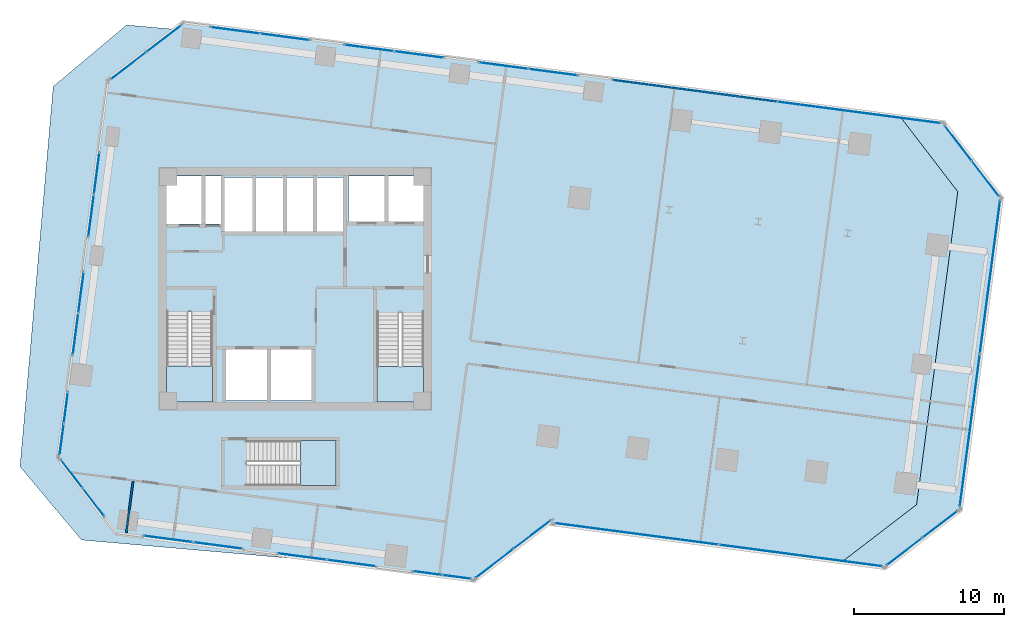
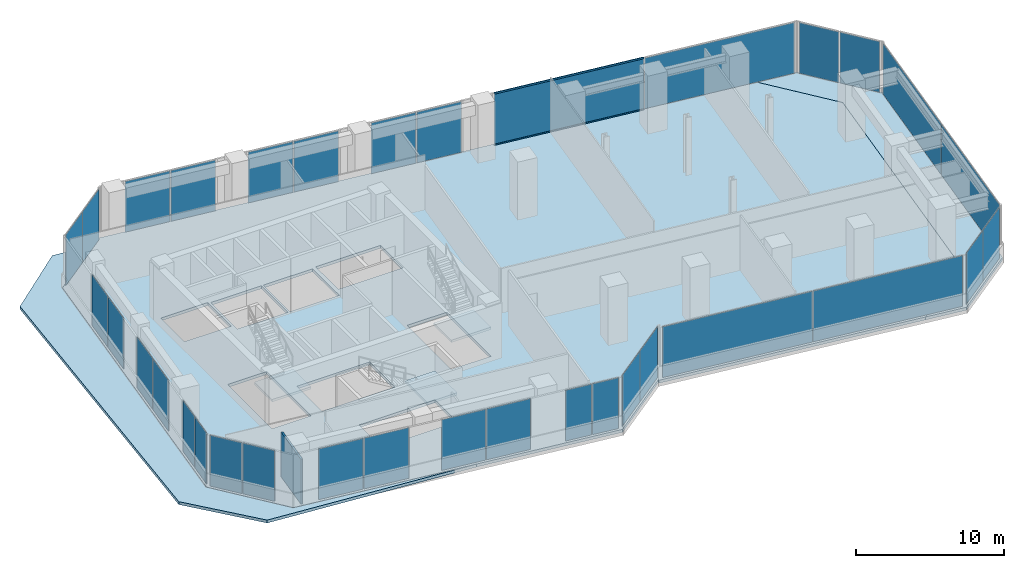
# One storey, part 18 of 24: 34 plates, 6 slabs, 2 members, 1 wall, 20 elements without a shape of their own.
"""IFC4 building model written with IfcOpenShell, lengths in metres."""

from ifc_helpers import new_model, si_unit, direction, frame, frame_2d, origin, origin_2d, place, context, subcontext, project, spatial, polyline, rectangle, hollow_rectangle, outline, extrude, source, transform, mapped, material, layer, layer_set, material_profile, profile_set, type_object, element, aggregate, save


model = new_model("IFC4")

# Units and contexts
model_context = context("Model", 3, precision=1e-05, world=origin(), true_north=direction((0.0, 1.0)))
body_context = subcontext(model_context, "Body", "Model", "MODEL_VIEW")
ifc_project = project(units=[si_unit("LENGTHUNIT", "METRE"), si_unit("AREAUNIT", "SQUARE_METRE"), si_unit("VOLUMEUNIT", "CUBIC_METRE"), si_unit("PLANEANGLEUNIT", "RADIAN"), si_unit("MASSUNIT", "GRAM", prefix="KILO")], contexts=[model_context])

# Site, building, storey
site_placement = place(None, origin())
site = spatial("IfcSite", under=ifc_project, at=site_placement, CompositionType="ELEMENT")
building_placement = place(site_placement, origin())
building = spatial("IfcBuilding", under=site, at=building_placement, Name="Torre Montelarca", CompositionType="ELEMENT")
storey_placement = place(building_placement, frame((0.0, 0.0, 61.60009765625)))
storey = spatial("IfcBuildingStorey", under=building, at=storey_placement, Name="L13", CompositionType="ELEMENT", Elevation=61.60009765625)

# Curtain wall, members
ifc_material_1 = material(Name="Insulated low-E laminated glass", Category="glass")
curtain_wall_type = type_object("IfcCurtainWallType", Name="CW-SYS-Z1", PredefinedType="USERDEFINED", material=ifc_material_1)
curtain_wall_1_placement = place(storey_placement, origin())
curtain_wall_1 = element("IfcCurtainWall", 1, at=curtain_wall_1_placement, inside=storey, type_object=curtain_wall_type, Name="L13 Curtain Wall Run CW-T3-L13-E08-B1", ObjectType="UNITISED GLAZING", PredefinedType="USERDEFINED")
ifc_material_2 = material(Name="Anodised aluminium AA 6063-T6", Category="aluminium")
ifc_material_profile = material_profile(ifc_material_2, hollow_rectangle(XDim=0.06494140625, YDim=0.139892578125, WallThickness=0.00390625, InnerFilletRadius=0.00390625, OuterFilletRadius=0.008056640625, at=origin_2d()), Name="ALU65X140X4", Category="aluminium")
ifc_profile_set = profile_set([ifc_material_profile], Name="Anodised aluminium AA 6063-T6")
member_type = type_object("IfcMemberType", Name="CWT-ALU140", PredefinedType="USERDEFINED", material=ifc_profile_set)
shared_shape_1 = source(origin(), body_context, "Body", "SweptSolid", [
    extrude(hollow_rectangle(XDim=0.06494140625, YDim=0.139892578125, WallThickness=0.00390625, InnerFilletRadius=0.00390625, OuterFilletRadius=0.008056640625, at=origin_2d()), origin(), (0.0, 0.0, 1.0), 10.95458984375),
])
member_1_placement = place(storey_placement, frame((50.01904296875, 44.4541015625, 0.032470703125), z_axis=(-0.991443975953, 0.130532917483, 0.0), x_axis=(-0.130532917483, -0.991443975953, 0.0)))
member_1 = element("IfcMember", 2, at=member_1_placement, type_object=member_type, Name="CW transom 2.1", ObjectType="TRANSOM", PredefinedType="USERDEFINED", context=body_context, shape_type="MappedRepresentation", body=[
    mapped(shared_shape_1, transform((0.0, 0.0, 0.0), scale=1.0)),
])
member_2_placement = place(storey_placement, frame((50.01904296875, 44.4541015625, 4.287353515625), z_axis=(-0.991443975953, 0.130532917483, 0.0), x_axis=(-0.130532917483, -0.991443975953, 0.0)))
member_2 = element("IfcMember", 3, at=member_2_placement, type_object=member_type, Name="CW transom 2.2", ObjectType="TRANSOM", PredefinedType="USERDEFINED", context=body_context, shape_type="MappedRepresentation", body=[
    mapped(shared_shape_1, transform((0.0, 0.0, 0.0), scale=1.0)),
])

# Slabs
ifc_material_3 = material(Name="Concrete C40/50", Category="concrete")
ifc_layer_1 = layer(ifc_material_3, 0.239990234375, Name="Concrete C40/50", Category="concrete")
ifc_layer_set_1 = layer_set([ifc_layer_1], Name="Concrete C40/50")
slab_type_1 = type_object("IfcSlabType", Name="SL-FLR-240", PredefinedType="FLOOR", material=ifc_layer_set_1)
slab_1_placement = place(storey_placement, frame((0.0, 0.0, -0.239990234375)))
element("IfcSlab", 4, at=slab_1_placement, inside=storey, type_object=slab_type_1, Name="L13 Structural Floor Slab", PredefinedType="FLOOR", context=body_context, shape_type="SweptSolid", body=[
    extrude(outline(polyline([(29.93115234375, 12.532958984375), (34.97998046875, 16.406982421875), (34.967041015625, 16.30810546875), (54.30029296875, 13.7626953125), (59.34912109375, 17.63671875), (62.090087890625, 38.457275390625), (58.2158203125, 43.506103515625), (10.527587890625, 49.784423828125), (5.478515625, 45.91015625), (2.1630859375, 20.7275390625), (6.037353515625, 15.6787109375), (29.93115234375, 12.532958984375)]), holes=[polyline([(20.699951171875, 18.89990234375), (14.760009765625, 18.89990234375), (14.760009765625, 21.889892578125), (20.699951171875, 21.889892578125), (20.699951171875, 18.89990234375)]), polyline([(19.10009765625, 24.550048828125), (13.39990234375, 24.550048828125), (13.39990234375, 27.949951171875), (19.10009765625, 27.949951171875), (19.10009765625, 24.550048828125)]), polyline([(23.43994140625, 24.449951171875), (23.43994140625, 30.429931640625), (26.550048828125, 30.429931640625), (26.550048828125, 24.449951171875), (23.43994140625, 24.449951171875)]), polyline([(9.449951171875, 24.449951171875), (9.449951171875, 30.4599609375), (12.5, 30.4599609375), (12.5, 24.449951171875), (9.449951171875, 24.449951171875)]), polyline([(17.25, 35.800048828125), (13.300048828125, 35.800048828125), (13.300048828125, 39.39990234375), (17.25, 39.39990234375), (17.25, 35.800048828125)]), polyline([(21.25, 35.800048828125), (17.39990234375, 35.800048828125), (17.39990234375, 39.39990234375), (21.25, 39.39990234375), (21.25, 35.800048828125)]), polyline([(13.1201171875, 36.300048828125), (9.449951171875, 36.300048828125), (9.449951171875, 39.5), (13.1201171875, 39.5), (13.1201171875, 36.300048828125)]), polyline([(26.60009765625, 36.449951171875), (21.550048828125, 36.449951171875), (21.550048828125, 39.5), (26.60009765625, 39.5), (26.60009765625, 36.449951171875)])]), origin(), (0.0, 0.0, 1.0), 0.239990234375),
])
slab_2_placement = place(storey_placement, frame((0.0, 0.0, -0.239990234375)))
element("IfcSlab", 5, at=slab_2_placement, inside=storey, type_object=slab_type_1, Name="L13 Sliding Tray Winter Garden Floor Slab E1", PredefinedType="FLOOR", context=body_context, shape_type="SweptSolid", body=[
    extrude(outline(polyline([(58.2158203125, 43.506103515625), (62.090087890625, 38.457275390625), (59.34912109375, 17.63671875), (54.30029296875, 13.7626953125), (57.2744140625, 13.37109375), (62.323486328125, 17.245361328125), (65.064453125, 38.065673828125), (61.190185546875, 43.114501953125), (58.2158203125, 43.506103515625)])), origin(), (0.0, 0.0, 1.0), 0.239990234375),
])
ifc_material_4 = material(Name="Architectural concrete C40/50", Category="concrete")
ifc_layer_2 = layer(ifc_material_4, 0.239990234375, Name="Architectural concrete C40/50", Category="concrete")
ifc_layer_set_2 = layer_set([ifc_layer_2], Name="Architectural concrete C40/50")
slab_type_2 = type_object("IfcSlabType", Name="SL-ROOF-EXT-240", PredefinedType="ROOF", material=ifc_layer_set_2)
slab_3_placement = place(storey_placement, frame((0.0, 0.0, -0.239990234375)))
element("IfcSlab", 6, at=slab_3_placement, inside=storey, type_object=slab_type_2, Name="L12 Setback and Tray Overhang Roof Cap Slab 01", PredefinedType="ROOF", context=body_context, shape_type="SweptSolid", body=[
    extrude(outline(polyline([(6.033203125, 15.671142578125), (2.15478515625, 20.725341796875), (5.47119140625, 45.91455078125), (9.857666015625, 49.280517578125), (6.773681640625, 49.55029296875), (1.8984375, 45.459716796875), (-0.315185546875, 20.15625), (3.775390625, 15.28125), (19.334716796875, 13.919921875), (6.033203125, 15.671142578125)])), origin(), (0.0, 0.0, 1.0), 0.239990234375),
])

# Stair, slab
stair_type_1 = type_object("IfcStairType", Name="ST-CORE-ST1", PredefinedType="HALF_TURN_STAIR", material=ifc_material_3)
stair_1_placement = place(storey_placement, origin())
stair_1 = element("IfcStair", 7, at=stair_1_placement, inside=storey, type_object=stair_type_1, Name="L13 Protected Exit Stair ST1", PredefinedType="HALF_TURN_STAIR")
ifc_layer_3 = layer(ifc_material_3, 0.199951171875, Name="Concrete C40/50", Category="concrete")
ifc_layer_set_3 = layer_set([ifc_layer_3], Name="Concrete C40/50")
slab_type_3 = type_object("IfcSlabType", Name="SL-ST-LAND-ST1", PredefinedType="LANDING", material=ifc_layer_set_3)
slab_4_placement = place(storey_placement, frame((0.0, 0.0, 2.199951171875)))
slab_4 = element("IfcSlab", 8, at=slab_4_placement, type_object=slab_type_3, Name="ST1 landing 1", PredefinedType="LANDING", context=body_context, shape_type="SweptSolid", body=[
    extrude(outline(polyline([(9.449951171875, 26.860107421875), (9.449951171875, 24.449951171875), (12.5, 24.449951171875), (12.5, 26.860107421875), (9.449951171875, 26.860107421875)])), origin(), (0.0, 0.0, 1.0), 0.199951171875),
])
aggregate(stair_1, [slab_4])

stair_type_2 = type_object("IfcStairType", Name="ST-CORE-ST2", PredefinedType="HALF_TURN_STAIR", material=ifc_material_3)
stair_2_placement = place(storey_placement, origin())
stair_2 = element("IfcStair", 9, at=stair_2_placement, inside=storey, type_object=stair_type_2, Name="L13 Protected Exit Stair ST2", PredefinedType="HALF_TURN_STAIR")
ifc_layer_4 = layer(ifc_material_3, 0.199951171875, Name="Concrete C40/50", Category="concrete")
ifc_layer_set_4 = layer_set([ifc_layer_4], Name="Concrete C40/50")
slab_type_4 = type_object("IfcSlabType", Name="SL-ST-LAND-ST2", PredefinedType="LANDING", material=ifc_layer_set_4)
slab_5_placement = place(storey_placement, frame((0.0, 0.0, 2.199951171875)))
slab_5 = element("IfcSlab", 10, at=slab_5_placement, type_object=slab_type_4, Name="ST2 landing 1", PredefinedType="LANDING", context=body_context, shape_type="SweptSolid", body=[
    extrude(outline(polyline([(23.43994140625, 26.830078125), (23.43994140625, 24.449951171875), (26.550048828125, 24.449951171875), (26.550048828125, 26.830078125), (23.43994140625, 26.830078125)])), origin(), (0.0, 0.0, 1.0), 0.199951171875),
])
aggregate(stair_2, [slab_5])

stair_type_3 = type_object("IfcStairType", Name="ST-CORE-ST3", PredefinedType="HALF_TURN_STAIR", material=ifc_material_3)
stair_3_placement = place(storey_placement, origin())
stair_3 = element("IfcStair", 11, at=stair_3_placement, inside=storey, type_object=stair_type_3, Name="L13 Low-Rise Exit Stair ST3", PredefinedType="HALF_TURN_STAIR")
ifc_layer_5 = layer(ifc_material_3, 0.199951171875, Name="Concrete C40/50", Category="concrete")
ifc_layer_set_5 = layer_set([ifc_layer_5], Name="Concrete C40/50")
slab_type_5 = type_object("IfcSlabType", Name="SL-ST-LAND-ST3", PredefinedType="LANDING", material=ifc_layer_set_5)
slab_6_placement = place(storey_placement, frame((0.0, 0.0, 2.199951171875)))
slab_6 = element("IfcSlab", 12, at=slab_6_placement, type_object=slab_type_5, Name="ST3 landing 1", PredefinedType="LANDING", context=body_context, shape_type="SweptSolid", body=[
    extrude(outline(polyline([(18.360107421875, 18.89990234375), (20.699951171875, 18.89990234375), (20.699951171875, 21.889892578125), (18.360107421875, 21.889892578125), (18.360107421875, 18.89990234375)])), origin(), (0.0, 0.0, 1.0), 0.199951171875),
])
aggregate(stair_3, [slab_6])

# Curtain wall, plates
curtain_wall_2_placement = place(storey_placement, origin())
curtain_wall_2 = element("IfcCurtainWall", 13, at=curtain_wall_2_placement, inside=storey, type_object=curtain_wall_type, Name="L13 Curtain Wall Run CW-T3-L13-E01-B1", ObjectType="UNITISED GLAZING", PredefinedType="USERDEFINED")
ifc_layer_6 = layer(ifc_material_1, 0.028076171875, Name="Insulated low-E laminated glass", Category="glass")
ifc_layer_set_6 = layer_set([ifc_layer_6], Name="Insulated low-E laminated glass")
plate_type = type_object("IfcPlateType", Name="CWP-GLZ-28", PredefinedType="CURTAIN_PANEL", material=ifc_layer_set_6)
shared_shape_2 = source(origin(), body_context, "Body", "SweptSolid", [
    extrude(rectangle(XDim=3.2724609375, YDim=0.028076171875, at=origin_2d()), origin(), (0.0, 0.0, 1.0), 4.18994140625),
])
plate_1_placement = place(storey_placement, frame((9.555419921875, 15.346435546875, 0.06494140625), z_axis=(0.0, 0.0, 1.0), x_axis=(0.991445657874, -0.130520142055, 0.0)))
plate_1 = element("IfcPlate", 14, at=plate_1_placement, type_object=plate_type, Name="CW panel 1.1", PredefinedType="CURTAIN_PANEL", context=body_context, shape_type="MappedRepresentation", body=[
    mapped(shared_shape_2, transform((0.0, 0.0, 0.0), scale=1.0)),
])
plate_2_placement = place(storey_placement, frame((12.8642578125, 14.910888671875, 0.06494140625), z_axis=(0.0, 0.0, 1.0), x_axis=(0.991445657874, -0.130520142055, 0.0)))
plate_2 = element("IfcPlate", 15, at=plate_2_placement, type_object=plate_type, Name="CW panel 2.1", PredefinedType="CURTAIN_PANEL", context=body_context, shape_type="MappedRepresentation", body=[
    mapped(shared_shape_2, transform((0.0, 0.0, 0.0), scale=1.0)),
])
aggregate(curtain_wall_2, [plate_1, plate_2])

curtain_wall_3_placement = place(storey_placement, origin())
curtain_wall_3 = element("IfcCurtainWall", 16, at=curtain_wall_3_placement, inside=storey, type_object=curtain_wall_type, Name="L13 Curtain Wall Run CW-T3-L13-E08-B2", ObjectType="UNITISED GLAZING", PredefinedType="USERDEFINED")
plate_3_placement = place(storey_placement, frame((35.16650390625, 46.409423828125, 0.06494140625), z_axis=(0.0, 0.0, 1.0), x_axis=(-0.991443990628, 0.130532806022, 0.0)))
plate_3 = element("IfcPlate", 17, at=plate_3_placement, type_object=plate_type, Name="CW panel 1.1", PredefinedType="CURTAIN_PANEL", context=body_context, shape_type="MappedRepresentation", body=[
    mapped(shared_shape_2, transform((0.0, 0.0, 0.0), scale=1.0)),
])
plate_4_placement = place(storey_placement, frame((31.857421875, 46.84521484375, 0.06494140625), z_axis=(0.0, 0.0, 1.0), x_axis=(-0.991443990628, 0.130532806022, 0.0)))
plate_4 = element("IfcPlate", 18, at=plate_4_placement, type_object=plate_type, Name="CW panel 2.1", PredefinedType="CURTAIN_PANEL", context=body_context, shape_type="MappedRepresentation", body=[
    mapped(shared_shape_2, transform((0.0, 0.0, 0.0), scale=1.0)),
])
aggregate(curtain_wall_3, [plate_3, plate_4])

curtain_wall_4_placement = place(storey_placement, origin())
curtain_wall_4 = element("IfcCurtainWall", 19, at=curtain_wall_4_placement, inside=storey, type_object=curtain_wall_type, Name="L13 Curtain Wall Run CW-T3-L13-E08-B3", ObjectType="UNITISED GLAZING", PredefinedType="USERDEFINED")
plate_5_placement = place(storey_placement, frame((26.243408203125, 47.584228515625, 0.06494140625), z_axis=(0.0, 0.0, 1.0), x_axis=(-0.991445910624, 0.130518222125, 0.0)))
plate_5 = element("IfcPlate", 20, at=plate_5_placement, type_object=plate_type, Name="CW panel 1.1", PredefinedType="CURTAIN_PANEL", context=body_context, shape_type="MappedRepresentation", body=[
    mapped(shared_shape_2, transform((0.0, 0.0, 0.0), scale=1.0)),
])
plate_6_placement = place(storey_placement, frame((22.9345703125, 48.019775390625, 0.06494140625), z_axis=(0.0, 0.0, 1.0), x_axis=(-0.991445910624, 0.130518222125, 0.0)))
plate_6 = element("IfcPlate", 21, at=plate_6_placement, type_object=plate_type, Name="CW panel 2.1", PredefinedType="CURTAIN_PANEL", context=body_context, shape_type="MappedRepresentation", body=[
    mapped(shared_shape_2, transform((0.0, 0.0, 0.0), scale=1.0)),
])
aggregate(curtain_wall_4, [plate_5, plate_6])

curtain_wall_5_placement = place(storey_placement, origin())
curtain_wall_5 = element("IfcCurtainWall", 22, at=curtain_wall_5_placement, inside=storey, type_object=curtain_wall_type, Name="L13 Curtain Wall Run CW-T3-L13-E08-B4", ObjectType="UNITISED GLAZING", PredefinedType="USERDEFINED")
plate_7_placement = place(storey_placement, frame((17.320556640625, 48.759033203125, 0.06494140625), z_axis=(0.0, 0.0, 1.0), x_axis=(-0.991445910624, 0.130518222125, 0.0)))
plate_7 = element("IfcPlate", 23, at=plate_7_placement, type_object=plate_type, Name="CW panel 1.1", PredefinedType="CURTAIN_PANEL", context=body_context, shape_type="MappedRepresentation", body=[
    mapped(shared_shape_2, transform((0.0, 0.0, 0.0), scale=1.0)),
])
plate_8_placement = place(storey_placement, frame((14.011474609375, 49.194580078125, 0.06494140625), z_axis=(0.0, 0.0, 1.0), x_axis=(-0.991445910624, 0.130518222125, 0.0)))
plate_8 = element("IfcPlate", 24, at=plate_8_placement, type_object=plate_type, Name="CW panel 2.1", PredefinedType="CURTAIN_PANEL", context=body_context, shape_type="MappedRepresentation", body=[
    mapped(shared_shape_2, transform((0.0, 0.0, 0.0), scale=1.0)),
])
aggregate(curtain_wall_5, [plate_7, plate_8])

curtain_wall_6_placement = place(storey_placement, origin())
curtain_wall_6 = element("IfcCurtainWall", 25, at=curtain_wall_6_placement, inside=storey, type_object=curtain_wall_type, Name="L13 Curtain Wall Run CW-T3-L13-E01-B3", ObjectType="UNITISED GLAZING", PredefinedType="USERDEFINED")
shared_shape_3 = source(origin(), body_context, "Body", "SweptSolid", [
    extrude(rectangle(XDim=1.917236328125, YDim=0.028076171875, at=origin_2d()), origin(), (0.0, 0.0, 1.0), 4.18994140625),
])
plate_9_placement = place(storey_placement, frame((26.8037109375, 13.075927734375, 0.06494140625), z_axis=(0.0, 0.0, 1.0), x_axis=(0.991445677051, -0.13051999639, 0.0)))
plate_9 = element("IfcPlate", 26, at=plate_9_placement, type_object=plate_type, Name="CW panel 1.1", PredefinedType="CURTAIN_PANEL", context=body_context, shape_type="MappedRepresentation", body=[
    mapped(shared_shape_3, transform((0.0, 0.0, 0.0), scale=1.0)),
])
plate_10_placement = place(storey_placement, frame((28.76904296875, 12.817138671875, 0.06494140625), z_axis=(0.0, 0.0, 1.0), x_axis=(0.991445677051, -0.13051999639, 0.0)))
plate_10 = element("IfcPlate", 27, at=plate_10_placement, type_object=plate_type, Name="CW panel 2.1", PredefinedType="CURTAIN_PANEL", context=body_context, shape_type="MappedRepresentation", body=[
    mapped(shared_shape_3, transform((0.0, 0.0, 0.0), scale=1.0)),
])
aggregate(curtain_wall_6, [plate_9, plate_10])

curtain_wall_7_placement = place(storey_placement, origin())
curtain_wall_7 = element("IfcCurtainWall", 28, at=curtain_wall_7_placement, inside=storey, type_object=curtain_wall_type, Name="L13 Curtain Wall Run CW-T3-L13-E05-B1", ObjectType="UNITISED GLAZING", PredefinedType="USERDEFINED")
shared_shape_4 = source(origin(), body_context, "Body", "SweptSolid", [
    extrude(rectangle(XDim=2.918701171875, YDim=0.028076171875, at=origin_2d()), origin(), (0.0, 0.0, 1.0), 4.18994140625),
])
plate_11_placement = place(storey_placement, frame((58.5361328125, 14.503173828125, 0.06494140625), z_axis=(0.0, 0.0, 1.0), x_axis=(0.793351218581, 0.608764194066, 0.0)))
plate_11 = element("IfcPlate", 29, at=plate_11_placement, type_object=plate_type, Name="CW panel 1.1", PredefinedType="CURTAIN_PANEL", context=body_context, shape_type="MappedRepresentation", body=[
    mapped(shared_shape_4, transform((0.0, 0.0, 0.0), scale=1.0)),
])
plate_12_placement = place(storey_placement, frame((60.9033203125, 16.319580078125, 0.06494140625), z_axis=(0.0, 0.0, 1.0), x_axis=(0.793351218581, 0.608764194066, 0.0)))
plate_12 = element("IfcPlate", 30, at=plate_12_placement, type_object=plate_type, Name="CW panel 2.1", PredefinedType="CURTAIN_PANEL", context=body_context, shape_type="MappedRepresentation", body=[
    mapped(shared_shape_4, transform((0.0, 0.0, 0.0), scale=1.0)),
])
aggregate(curtain_wall_7, [plate_11, plate_12])

curtain_wall_8_placement = place(storey_placement, origin())
curtain_wall_8 = element("IfcCurtainWall", 31, at=curtain_wall_8_placement, inside=storey, type_object=curtain_wall_type, Name="L13 Curtain Wall Run CW-T3-L13-E07-B1", ObjectType="UNITISED GLAZING", PredefinedType="USERDEFINED")
plate_13_placement = place(storey_placement, frame((63.932373046875, 39.327392578125, 0.06494140625), z_axis=(0.0, 0.0, 1.0), x_axis=(-0.608753760122, 0.793359224776, 0.0)))
plate_13 = element("IfcPlate", 32, at=plate_13_placement, type_object=plate_type, Name="CW panel 1.1", PredefinedType="CURTAIN_PANEL", context=body_context, shape_type="MappedRepresentation", body=[
    mapped(shared_shape_4, transform((0.0, 0.0, 0.0), scale=1.0)),
])
plate_14_placement = place(storey_placement, frame((62.115966796875, 41.6943359375, 0.06494140625), z_axis=(0.0, 0.0, 1.0), x_axis=(-0.608753760122, 0.793359224776, 0.0)))
plate_14 = element("IfcPlate", 33, at=plate_14_placement, type_object=plate_type, Name="CW panel 2.1", PredefinedType="CURTAIN_PANEL", context=body_context, shape_type="MappedRepresentation", body=[
    mapped(shared_shape_4, transform((0.0, 0.0, 0.0), scale=1.0)),
])
aggregate(curtain_wall_8, [plate_13, plate_14])

curtain_wall_9_placement = place(storey_placement, origin())
curtain_wall_9 = element("IfcCurtainWall", 34, at=curtain_wall_9_placement, inside=storey, type_object=curtain_wall_type, Name="L13 Curtain Wall Run CW-T3-L13-E09-B1", ObjectType="UNITISED GLAZING", PredefinedType="USERDEFINED")
plate_15_placement = place(storey_placement, frame((9.265869140625, 48.65234375, 0.06494140625), z_axis=(0.0, 0.0, 1.0), x_axis=(-0.793351218581, -0.608764194066, 0.0)))
plate_15 = element("IfcPlate", 35, at=plate_15_placement, type_object=plate_type, Name="CW panel 1.1", PredefinedType="CURTAIN_PANEL", context=body_context, shape_type="MappedRepresentation", body=[
    mapped(shared_shape_4, transform((0.0, 0.0, 0.0), scale=1.0)),
])
plate_16_placement = place(storey_placement, frame((6.898681640625, 46.8359375, 0.06494140625), z_axis=(0.0, 0.0, 1.0), x_axis=(-0.793351218581, -0.608764194066, 0.0)))
plate_16 = element("IfcPlate", 36, at=plate_16_placement, type_object=plate_type, Name="CW panel 2.1", PredefinedType="CURTAIN_PANEL", context=body_context, shape_type="MappedRepresentation", body=[
    mapped(shared_shape_4, transform((0.0, 0.0, 0.0), scale=1.0)),
])
aggregate(curtain_wall_9, [plate_15, plate_16])

# Plate
shared_shape_5 = source(origin(), body_context, "Body", "SweptSolid", [
    extrude(rectangle(XDim=10.95458984375, YDim=0.028076171875, at=origin_2d()), origin(), (0.0, 0.0, 1.0), 4.18994140625),
])
plate_17_placement = place(storey_placement, frame((55.513916015625, 43.730712890625, 0.06494140625), z_axis=(0.0, 0.0, 1.0), x_axis=(-0.991445315972, 0.130522739159, 0.0)))
plate_17 = element("IfcPlate", 37, at=plate_17_placement, type_object=plate_type, Name="CW panel 1.1", PredefinedType="CURTAIN_PANEL", context=body_context, shape_type="MappedRepresentation", body=[
    mapped(shared_shape_5, transform((0.0, 0.0, 0.0), scale=1.0)),
])

plate_18_placement = place(storey_placement, frame((44.588623046875, 45.1689453125, 0.06494140625), z_axis=(0.0, 0.0, 1.0), x_axis=(-0.991445315972, 0.130522739159, 0.0)))
plate_18 = element("IfcPlate", 38, at=plate_18_placement, type_object=plate_type, Name="CW panel 2.1", PredefinedType="CURTAIN_PANEL", context=body_context, shape_type="MappedRepresentation", body=[
    mapped(shared_shape_5, transform((0.0, 0.0, 0.0), scale=1.0)),
])

aggregate(curtain_wall_1, [plate_17, member_1, member_2, plate_18])

# Curtain wall, plates
curtain_wall_10_placement = place(storey_placement, origin())
curtain_wall_10 = element("IfcCurtainWall", 39, at=curtain_wall_10_placement, inside=storey, type_object=curtain_wall_type, Name="L13 Curtain Wall Run CW-T3-L13-E10-B1", ObjectType="UNITISED GLAZING", PredefinedType="USERDEFINED")
shared_shape_6 = source(origin(), body_context, "Body", "SweptSolid", [
    extrude(rectangle(XDim=2.7724609375, YDim=0.028076171875, at=origin_2d()), origin(), (0.0, 0.0, 1.0), 4.18994140625),
])
plate_19_placement = place(storey_placement, frame((4.78759765625, 39.665771484375, 0.06494140625), z_axis=(0.0, 0.0, 1.0), x_axis=(-0.13054194154, -0.991442787809, 0.0)))
plate_19 = element("IfcPlate", 40, at=plate_19_placement, type_object=plate_type, Name="CW panel 1.1", PredefinedType="CURTAIN_PANEL", context=body_context, shape_type="MappedRepresentation", body=[
    mapped(shared_shape_6, transform((0.0, 0.0, 0.0), scale=1.0)),
])
plate_20_placement = place(storey_placement, frame((4.417236328125, 36.8525390625, 0.06494140625), z_axis=(0.0, 0.0, 1.0), x_axis=(-0.13054194154, -0.991442787809, 0.0)))
plate_20 = element("IfcPlate", 41, at=plate_20_placement, type_object=plate_type, Name="CW panel 2.1", PredefinedType="CURTAIN_PANEL", context=body_context, shape_type="MappedRepresentation", body=[
    mapped(shared_shape_6, transform((0.0, 0.0, 0.0), scale=1.0)),
])
aggregate(curtain_wall_10, [plate_19, plate_20])

curtain_wall_11_placement = place(storey_placement, origin())
curtain_wall_11 = element("IfcCurtainWall", 42, at=curtain_wall_11_placement, inside=storey, type_object=curtain_wall_type, Name="L13 Curtain Wall Run CW-T3-L13-E10-B3", ObjectType="UNITISED GLAZING", PredefinedType="USERDEFINED")
shared_shape_7 = source(origin(), body_context, "Body", "SweptSolid", [
    extrude(rectangle(XDim=2.067138671875, YDim=0.028076171875, at=origin_2d()), origin(), (0.0, 0.0, 1.0), 4.18994140625),
])
plate_21_placement = place(storey_placement, frame((2.7353515625, 24.077880859375, 0.06494140625), z_axis=(0.0, 0.0, 1.0), x_axis=(-0.130508289054, -0.991447218206, 0.0)))
plate_21 = element("IfcPlate", 43, at=plate_21_placement, type_object=plate_type, Name="CW panel 1.1", PredefinedType="CURTAIN_PANEL", context=body_context, shape_type="MappedRepresentation", body=[
    mapped(shared_shape_7, transform((0.0, 0.0, 0.0), scale=1.0)),
])
plate_22_placement = place(storey_placement, frame((2.457275390625, 21.964111328125, 0.06494140625), z_axis=(0.0, 0.0, 1.0), x_axis=(-0.130508289054, -0.991447218206, 0.0)))
plate_22 = element("IfcPlate", 44, at=plate_22_placement, type_object=plate_type, Name="CW panel 2.1", PredefinedType="CURTAIN_PANEL", context=body_context, shape_type="MappedRepresentation", body=[
    mapped(shared_shape_7, transform((0.0, 0.0, 0.0), scale=1.0)),
])
aggregate(curtain_wall_11, [plate_21, plate_22])

curtain_wall_12_placement = place(storey_placement, origin())
curtain_wall_12 = element("IfcCurtainWall", 45, at=curtain_wall_12_placement, inside=storey, type_object=curtain_wall_type, Name="L13 Curtain Wall Run CW-T3-L13-E11-B1", ObjectType="UNITISED GLAZING", PredefinedType="USERDEFINED")
shared_shape_8 = source(origin(), body_context, "Body", "SweptSolid", [
    extrude(rectangle(XDim=2.33056640625, YDim=0.028076171875, at=origin_2d()), origin(), (0.0, 0.0, 1.0), 4.18994140625),
])
plate_23_placement = place(storey_placement, frame((3.1162109375, 19.698974609375, 0.06494140625), z_axis=(0.0, 0.0, 1.0), x_axis=(0.608770862147, -0.7933461019, 0.0)))
plate_23 = element("IfcPlate", 46, at=plate_23_placement, type_object=plate_type, Name="CW panel 1.1", PredefinedType="CURTAIN_PANEL", context=body_context, shape_type="MappedRepresentation", body=[
    mapped(shared_shape_8, transform((0.0, 0.0, 0.0), scale=1.0)),
])
plate_24_placement = place(storey_placement, frame((4.574462890625, 17.798583984375, 0.06494140625), z_axis=(0.0, 0.0, 1.0), x_axis=(0.608770862147, -0.7933461019, 0.0)))
plate_24 = element("IfcPlate", 47, at=plate_24_placement, type_object=plate_type, Name="CW panel 2.1", PredefinedType="CURTAIN_PANEL", context=body_context, shape_type="MappedRepresentation", body=[
    mapped(shared_shape_8, transform((0.0, 0.0, 0.0), scale=1.0)),
])
aggregate(curtain_wall_12, [plate_23, plate_24])

curtain_wall_13_placement = place(storey_placement, origin())
curtain_wall_13 = element("IfcCurtainWall", 48, at=curtain_wall_13_placement, inside=storey, type_object=curtain_wall_type, Name="L13 Curtain Wall Run CW-T3-L13-E06-B1", ObjectType="UNITISED GLAZING", PredefinedType="USERDEFINED")
shared_shape_9 = source(origin(), body_context, "Body", "SweptSolid", [
    extrude(rectangle(XDim=10.236572265625, YDim=0.028076171875, at=origin_2d()), origin(), (0.0, 0.0, 1.0), 4.18994140625),
])
plate_25_placement = place(storey_placement, frame((62.892822265625, 22.565673828125, 0.06494140625), z_axis=(0.0, 0.0, 1.0), x_axis=(0.130518718127, 0.991445845328, 0.0)))
plate_25 = element("IfcPlate", 49, at=plate_25_placement, type_object=plate_type, Name="CW panel 1.1", PredefinedType="CURTAIN_PANEL", context=body_context, shape_type="MappedRepresentation", body=[
    mapped(shared_shape_9, transform((0.0, 0.0, 0.0), scale=1.0)),
])
plate_26_placement = place(storey_placement, frame((64.2373046875, 32.779296875, 0.06494140625), z_axis=(0.0, 0.0, 1.0), x_axis=(0.130518718127, 0.991445845328, 0.0)))
plate_26 = element("IfcPlate", 50, at=plate_26_placement, type_object=plate_type, Name="CW panel 2.1", PredefinedType="CURTAIN_PANEL", context=body_context, shape_type="MappedRepresentation", body=[
    mapped(shared_shape_9, transform((0.0, 0.0, 0.0), scale=1.0)),
])
aggregate(curtain_wall_13, [plate_25, plate_26])

curtain_wall_14_placement = place(storey_placement, origin())
curtain_wall_14 = element("IfcCurtainWall", 51, at=curtain_wall_14_placement, inside=storey, type_object=curtain_wall_type, Name="L13 Curtain Wall Run CW-T3-L13-E01-B2", ObjectType="UNITISED GLAZING", PredefinedType="USERDEFINED")
shared_shape_10 = source(origin(), body_context, "Body", "SweptSolid", [
    extrude(rectangle(XDim=3.235107421875, YDim=0.028076171875, at=origin_2d()), origin(), (0.0, 0.0, 1.0), 4.18994140625),
])
plate_27_placement = place(storey_placement, frame((18.459716796875, 14.17431640625, 0.06494140625), z_axis=(0.0, 0.0, 1.0), x_axis=(0.991446020563, -0.130517387, 0.0)))
plate_27 = element("IfcPlate", 52, at=plate_27_placement, type_object=plate_type, Name="CW panel 1.1", PredefinedType="CURTAIN_PANEL", context=body_context, shape_type="MappedRepresentation", body=[
    mapped(shared_shape_10, transform((0.0, 0.0, 0.0), scale=1.0)),
])
plate_28_placement = place(storey_placement, frame((21.731689453125, 13.74365234375, 0.06494140625), z_axis=(0.0, 0.0, 1.0), x_axis=(0.991446020563, -0.130517387, 0.0)))
plate_28 = element("IfcPlate", 53, at=plate_28_placement, type_object=plate_type, Name="CW panel 2.1", PredefinedType="CURTAIN_PANEL", context=body_context, shape_type="MappedRepresentation", body=[
    mapped(shared_shape_10, transform((0.0, 0.0, 0.0), scale=1.0)),
])
aggregate(curtain_wall_14, [plate_27, plate_28])

curtain_wall_15_placement = place(storey_placement, origin())
curtain_wall_15 = element("IfcCurtainWall", 54, at=curtain_wall_15_placement, inside=storey, type_object=curtain_wall_type, Name="L13 Curtain Wall Run CW-T3-L13-E02-B1", ObjectType="UNITISED GLAZING", PredefinedType="USERDEFINED")
shared_shape_11 = source(origin(), body_context, "Body", "SweptSolid", [
    extrude(rectangle(XDim=3.102294921875, YDim=0.028076171875, at=origin_2d()), origin(), (0.0, 0.0, 1.0), 4.18994140625),
])
plate_29_placement = place(storey_placement, frame((31.265869140625, 13.720947265625, 0.06494140625), z_axis=(0.0, 0.0, 1.0), x_axis=(0.793357061953, 0.608756578814, 0.0)))
plate_29 = element("IfcPlate", 55, at=plate_29_placement, type_object=plate_type, Name="CW panel 1.1", PredefinedType="CURTAIN_PANEL", context=body_context, shape_type="MappedRepresentation", body=[
    mapped(shared_shape_11, transform((0.0, 0.0, 0.0), scale=1.0)),
])
plate_30_placement = place(storey_placement, frame((33.778564453125, 15.649169921875, 0.06494140625), z_axis=(0.0, 0.0, 1.0), x_axis=(0.793357061953, 0.608756578814, 0.0)))
plate_30 = element("IfcPlate", 56, at=plate_30_placement, type_object=plate_type, Name="CW panel 2.1", PredefinedType="CURTAIN_PANEL", context=body_context, shape_type="MappedRepresentation", body=[
    mapped(shared_shape_11, transform((0.0, 0.0, 0.0), scale=1.0)),
])
aggregate(curtain_wall_15, [plate_29, plate_30])

curtain_wall_16_placement = place(storey_placement, origin())
curtain_wall_16 = element("IfcCurtainWall", 57, at=curtain_wall_16_placement, inside=storey, type_object=curtain_wall_type, Name="L13 Curtain Wall Run CW-T3-L13-E04-B1", ObjectType="UNITISED GLAZING", PredefinedType="USERDEFINED")
shared_shape_12 = source(origin(), body_context, "Body", "SweptSolid", [
    extrude(rectangle(XDim=10.94873046875, YDim=0.028076171875, at=origin_2d()), origin(), (0.0, 0.0, 1.0), 4.18994140625),
])
plate_31_placement = place(storey_placement, frame((40.7158203125, 15.68212890625, 0.06494140625), z_axis=(0.0, 0.0, 1.0), x_axis=(0.991445588591, -0.130520668339, 0.0)))
plate_31 = element("IfcPlate", 58, at=plate_31_placement, type_object=plate_type, Name="CW panel 1.1", PredefinedType="CURTAIN_PANEL", context=body_context, shape_type="MappedRepresentation", body=[
    mapped(shared_shape_12, transform((0.0, 0.0, 0.0), scale=1.0)),
])
plate_32_placement = place(storey_placement, frame((51.63525390625, 14.24462890625, 0.06494140625), z_axis=(0.0, 0.0, 1.0), x_axis=(0.991445588591, -0.130520668339, 0.0)))
plate_32 = element("IfcPlate", 59, at=plate_32_placement, type_object=plate_type, Name="CW panel 2.1", PredefinedType="CURTAIN_PANEL", context=body_context, shape_type="MappedRepresentation", body=[
    mapped(shared_shape_12, transform((0.0, 0.0, 0.0), scale=1.0)),
])
aggregate(curtain_wall_16, [plate_31, plate_32])

curtain_wall_17_placement = place(storey_placement, origin())
curtain_wall_17 = element("IfcCurtainWall", 60, at=curtain_wall_17_placement, inside=storey, type_object=curtain_wall_type, Name="L13 Curtain Wall Run CW-T3-L13-E10-B2", ObjectType="UNITISED GLAZING", PredefinedType="USERDEFINED")
shared_shape_13 = source(origin(), body_context, "Body", "SweptSolid", [
    extrude(rectangle(XDim=2.73486328125, YDim=0.028076171875, at=origin_2d()), origin(), (0.0, 0.0, 1.0), 4.18994140625),
])
plate_33_placement = place(storey_placement, frame((3.745849609375, 31.752685546875, 0.06494140625), z_axis=(0.0, 0.0, 1.0), x_axis=(-0.130521636947, -0.991445461076, 0.0)))
plate_33 = element("IfcPlate", 61, at=plate_33_placement, type_object=plate_type, Name="CW panel 1.1", PredefinedType="CURTAIN_PANEL", context=body_context, shape_type="MappedRepresentation", body=[
    mapped(shared_shape_13, transform((0.0, 0.0, 0.0), scale=1.0)),
])
plate_34_placement = place(storey_placement, frame((3.38037109375, 28.976806640625, 0.06494140625), z_axis=(0.0, 0.0, 1.0), x_axis=(-0.130521636947, -0.991445461076, 0.0)))
plate_34 = element("IfcPlate", 62, at=plate_34_placement, type_object=plate_type, Name="CW panel 2.1", PredefinedType="CURTAIN_PANEL", context=body_context, shape_type="MappedRepresentation", body=[
    mapped(shared_shape_13, transform((0.0, 0.0, 0.0), scale=1.0)),
])
aggregate(curtain_wall_17, [plate_33, plate_34])

# Wall
ifc_material_5 = material(Name="Gypsum plasterboard on steel stud", Category="steel")
ifc_layer_7 = layer(ifc_material_5, 0.135009765625, Name="Gypsum plasterboard on steel stud", Category="steel")
ifc_layer_set_7 = layer_set([ifc_layer_7], Name="Gypsum plasterboard on steel stud")
wall_type = type_object("IfcWallType", Name="PW-PART-135", PredefinedType="PARTITIONING", material=ifc_layer_set_7)
wall_placement = place(storey_placement, frame((6.7548828125, 15.765869140625, 0.0), z_axis=(0.0, 0.0, 1.0), x_axis=(0.130518214887, 0.991445911577, 0.0)))
element("IfcWall", 63, at=wall_placement, inside=storey, type_object=wall_type, Name="L13 Interior Partition W-L13-WCD", PredefinedType="PARTITIONING", context=body_context, shape_type="SweptSolid", body=[
    extrude(rectangle(XDim=3.469970703125, YDim=0.135009765625, at=frame_2d((1.73486328125, 0.0))), origin(), (0.0, 0.0, 1.0), 3.69482421875),
])

save(model, "model.ifc")
